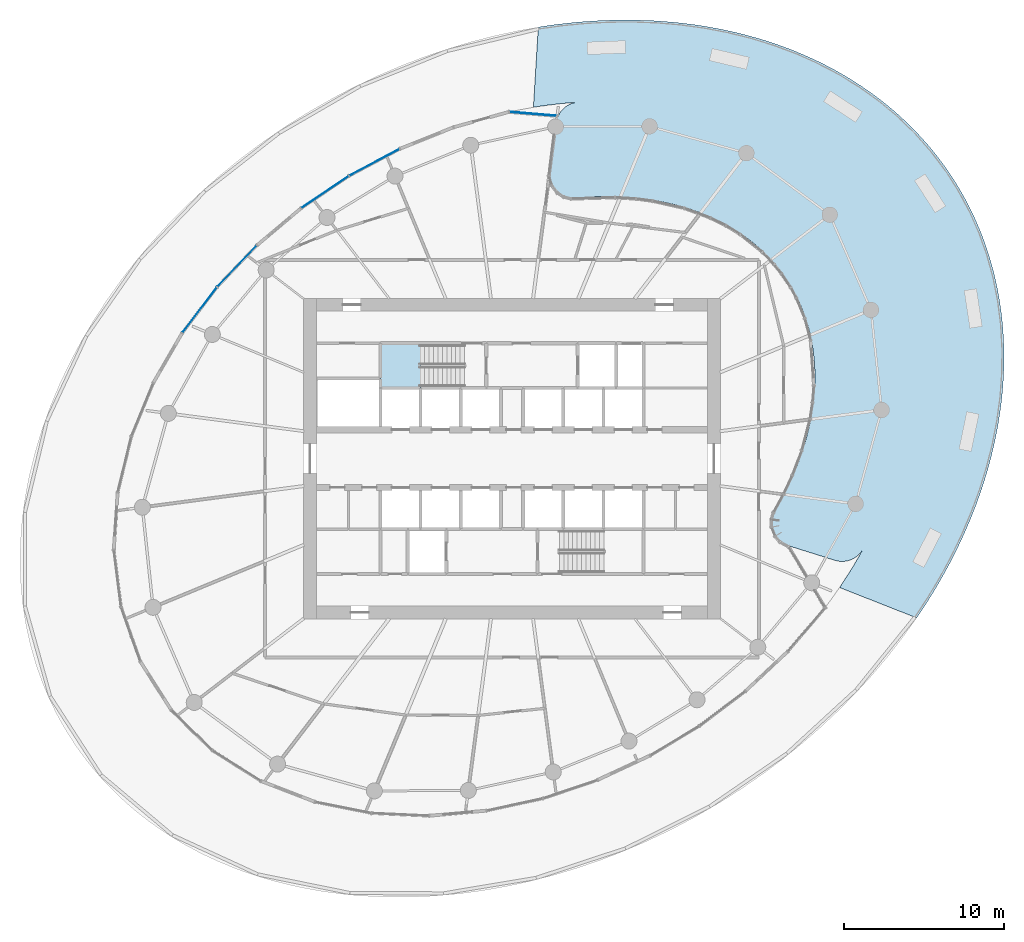
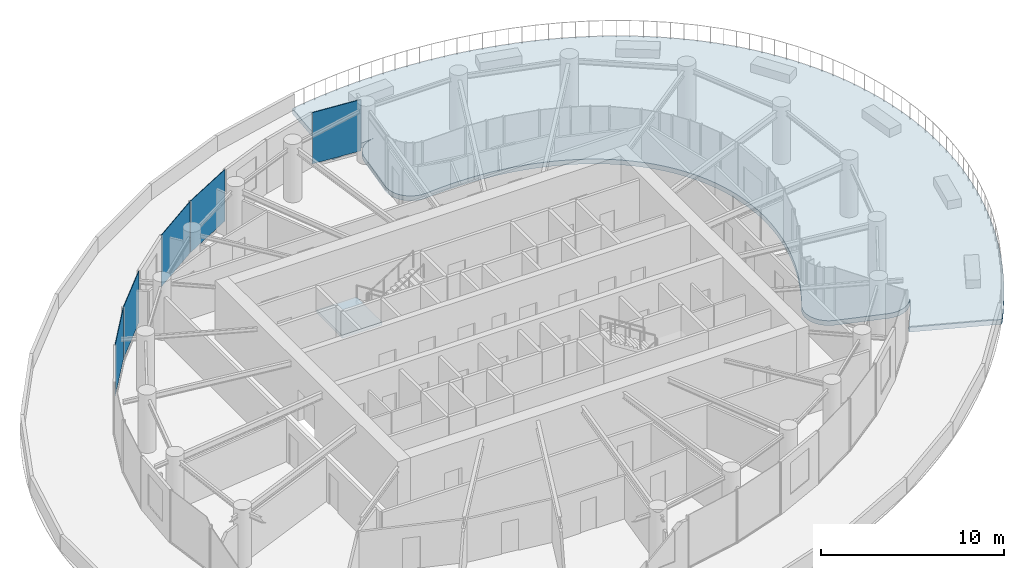
# One storey, part 10 of 21: 5 plates, 2 slabs, 4 elements without a shape of their own.
"""IFC4 building model written with IfcOpenShell, lengths in metres."""

from ifc_helpers import new_model, si_unit, direction, frame, origin, origin_2d, place, context, subcontext, project, spatial, line, indexed_curve, rectangle, outline, extrude, source, transform, mapped, material, layer, layer_set, type_object, element, aggregate, save


model = new_model("IFC4")

# Units and contexts
model_context = context("Model", 3, precision=1e-05, world=origin(), true_north=direction((0.0, 1.0)))
body_context = subcontext(model_context, "Body", "Model", "MODEL_VIEW")
ifc_project = project(units=[si_unit("LENGTHUNIT", "METRE"), si_unit("AREAUNIT", "SQUARE_METRE"), si_unit("VOLUMEUNIT", "CUBIC_METRE"), si_unit("PLANEANGLEUNIT", "RADIAN"), si_unit("MASSUNIT", "GRAM", prefix="KILO")], contexts=[model_context])

# Site, building, storey
site_placement = place(None, origin())
site = spatial("IfcSite", under=ifc_project, at=site_placement, CompositionType="ELEMENT")
building_placement = place(site_placement, origin())
building = spatial("IfcBuilding", under=site, at=building_placement, Name="Spindrift Exchange Tower", CompositionType="ELEMENT")
storey_placement = place(building_placement, frame((0.0, 0.0, 133.10009765625)))
storey = spatial("IfcBuildingStorey", under=building, at=storey_placement, Name="L31", CompositionType="ELEMENT", Elevation=133.10009765625)

# Slab
ifc_material_1 = material(Name="Concrete 40 MPa", Category="concrete")
ifc_layer_1 = layer(ifc_material_1, 0.320068359375)
ifc_layer_set_1 = layer_set([ifc_layer_1], Name="RC Garden Terrace Slab 320 Concrete 40 MPa")
slab_type_1 = type_object("IfcSlabType", Name="RC Garden Terrace Slab 320 Concrete 40 MPa", PredefinedType="FLOOR", material=ifc_layer_set_1)
slab_1_placement = place(storey_placement, frame((0.0, 0.0, -0.320068359375)))
element("IfcSlab", 1, at=slab_1_placement, inside=storey, type_object=slab_type_1, Name="Sky garden terrace L31", PredefinedType="FLOOR", context=body_context, shape_type="SweptSolid", body=[
    extrude(outline(indexed_curve([(56.111083984375, 70.237060546875), (55.652587890625, 70.204345703125), (54.835693359375, 70.126708984375), (54.021728515625, 70.025634765625), (53.39208984375, 69.930908203125), (53.36328125, 69.93798828125), (53.34375, 69.959716796875), (53.339111328125, 69.98388671875), (53.6376953125, 74.8857421875), (53.6474609375, 74.91259765625), (53.666015625, 74.927734375), (54.34326171875, 75.03173828125), (54.84521484375, 75.098388671875), (55.84912109375, 75.209716796875), (56.353515625, 75.25439453125), (57.36083984375, 75.322021484375), (57.86669921875, 75.3447265625), (58.372314453125, 75.359619140625), (59.382568359375, 75.366455078125), (60.392333984375, 75.341552734375), (60.89794921875, 75.317138671875), (61.9052734375, 75.243408203125), (62.408203125, 75.194091796875), (63.411376953125, 75.070068359375), (63.9111328125, 74.994873046875), (64.9072265625, 74.818359375), (65.894775390625, 74.606201171875), (66.3857421875, 74.486083984375), (67.3603515625, 74.21875), (67.84423828125, 74.07080078125), (68.324951171875, 73.9130859375), (68.802001953125, 73.746337890625), (69.275634765625, 73.56982421875), (69.74609375, 73.38330078125), (70.211181640625, 73.1875), (70.672119140625, 72.982177734375), (71.129638671875, 72.766357421875), (71.58154296875, 72.541015625), (72.029296875, 72.305419921875), (72.471435546875, 72.059814453125), (72.90771484375, 71.804443359375), (73.337890625, 71.539306640625), (73.761474609375, 71.264404296875), (74.178466796875, 70.979736328125), (74.5888671875, 70.684814453125), (74.99267578125, 70.3798828125), (75.387939453125, 70.06591796875), (75.7763671875, 69.74169921875), (76.15673828125, 69.407958984375), (76.527587890625, 69.0654296875), (76.889892578125, 68.714111328125), (77.243896484375, 68.352294921875), (77.58837890625, 67.982421875), (77.9228515625, 67.603515625), (78.248046875, 67.2158203125), (78.5625, 66.821044921875), (78.86669921875, 66.41748046875), (79.16015625, 66.006103515625), (79.443115234375, 65.587158203125), (79.714599609375, 65.160888671875), (79.974853515625, 64.728271484375), (80.22412109375, 64.287841796875), (80.4619140625, 63.840576171875), (80.6875, 63.388916015625), (80.901611328125, 62.930419921875), (81.102783203125, 62.468017578125), (81.29248046875, 62.000244140625), (81.470947265625, 61.525390625), (81.636474609375, 61.048583984375), (81.78955078125, 60.567626953125), (81.930908203125, 60.082275390625), (82.060302734375, 59.593017578125), (82.177001953125, 59.10205078125), (82.281982421875, 58.608154296875), (82.375244140625, 58.109619140625), (82.4560546875, 57.611328125), (82.525146484375, 57.111083984375), (82.58251953125, 56.60888671875), (82.628173828125, 56.105712890625), (82.662353515625, 55.600341796875), (82.68505859375, 55.095947265625), (82.6962890625, 54.590087890625), (82.69677734375, 54.085205078125), (82.68603515625, 53.58056640625), (82.66455078125, 53.075439453125), (82.632080078125, 52.570556640625), (82.58935546875, 52.06640625), (82.536376953125, 51.564453125), (82.47314453125, 51.0625), (82.31689453125, 50.064697265625), (82.12158203125, 49.072021484375), (81.8896484375, 48.089111328125), (81.62158203125, 47.114501953125), (81.31884765625, 46.150146484375), (80.98291015625, 45.19677734375), (80.614990234375, 44.25537109375), (80.21630859375, 43.326416015625), (79.7880859375, 42.410888671875), (79.33154296875, 41.5087890625), (78.847900390625, 40.621337890625), (78.33740234375, 39.748291015625), (77.80224609375, 38.89111328125), (77.525390625, 38.468017578125), (77.259521484375, 38.08056640625), (77.23681640625, 38.072265625), (77.213134765625, 38.075439453125), (72.494140625, 39.93310546875), (72.47412109375, 39.947509765625), (72.462646484375, 39.974609375), (72.468505859375, 40.00341796875), (72.820068359375, 40.533935546875), (73.25537109375, 41.229248046875), (73.67041015625, 41.93701171875), (73.893798828125, 42.339111328125), (73.83740234375, 42.24609375), (73.748779296875, 42.12744140625), (73.650390625, 42.019775390625), (73.5419921875, 41.92236328125), (73.41650390625, 41.830322265625), (73.291015625, 41.756103515625), (73.160888671875, 41.69580078125), (73.01416015625, 41.644287109375), (72.872314453125, 41.610107421875), (72.72802734375, 41.58984375), (72.574951171875, 41.583984375), (72.429443359375, 41.592529296875), (72.285400390625, 41.615478515625), (72.13916015625, 41.653564453125), (69.273193359375, 42.556396484375), (69.1279296875, 42.610595703125), (68.99609375, 42.675048828125), (68.869140625, 42.75390625), (68.75048828125, 42.844482421875), (68.6416015625, 42.94677734375), (68.54345703125, 43.059326171875), (68.45703125, 43.180908203125), (68.3828125, 43.310791015625), (68.322021484375, 43.447021484375), (68.275146484375, 43.5888671875), (68.242919921875, 43.732177734375), (68.224609375, 43.88037109375), (68.22119140625, 44.027099609375), (68.2333984375, 44.183349609375), (68.259521484375, 44.327880859375), (68.30029296875, 44.4716796875), (68.35400390625, 44.608154296875), (68.421875, 44.740478515625), (68.836181640625, 45.48291015625), (69.125244140625, 46.0478515625), (69.269775390625, 46.347412109375), (69.531494140625, 46.926513671875), (69.7861328125, 47.54541015625), (70.01220703125, 48.1552734375), (70.124267578125, 48.486083984375), (70.31787109375, 49.118408203125), (70.41162109375, 49.4619140625), (70.567626953125, 50.11279296875), (70.69921875, 50.791259765625), (70.8017578125, 51.498779296875), (70.86767578125, 52.197998046875), (70.89697265625, 52.882080078125), (70.898193359375, 53.235595703125), (70.888427734375, 53.611083984375), (70.868896484375, 53.9658203125), (70.801025390625, 54.6513671875), (70.75, 55.00341796875), (70.683837890625, 55.377685546875), (70.60986328125, 55.727294921875), (70.52490234375, 56.073486328125), (70.435302734375, 56.393310546875), (70.328125, 56.733642578125), (70.20068359375, 57.09423828125), (70.069580078125, 57.426513671875), (69.92724609375, 57.754150390625), (69.78515625, 58.052734375), (69.62109375, 58.369873046875), (69.432373046875, 58.70361328125), (69.245361328125, 59.00830078125), (69.0478515625, 59.305419921875), (68.839599609375, 59.595703125), (68.62158203125, 59.87841796875), (68.39404296875, 60.15283203125), (68.174072265625, 60.400634765625), (67.910400390625, 60.677734375), (67.655029296875, 60.927490234375), (67.3916015625, 61.16845703125), (67.120849609375, 61.39990234375), (66.861328125, 61.60791015625), (66.556884765625, 61.836181640625), (66.264892578125, 62.04052734375), (65.966796875, 62.2353515625), (65.374267578125, 62.586181640625), (65.042236328125, 62.763427734375), (64.724609375, 62.9208984375), (64.40380859375, 63.0693359375), (63.770751953125, 63.331787109375), (63.092041015625, 63.57275390625), (62.759033203125, 63.6767578125), (62.106201171875, 63.856201171875), (61.418212890625, 64.011962890625), (61.08251953125, 64.076416015625), (60.427490234375, 64.18115234375), (60.07861328125, 64.226318359375), (59.414306640625, 64.29248046875), (58.7685546875, 64.333251953125), (58.116455078125, 64.351806640625), (57.78125, 64.352783203125), (57.154296875, 64.339599609375), (56.5244140625, 64.306884765625), (55.97802734375, 64.2626953125), (55.831787109375, 64.257080078125), (55.685302734375, 64.265869140625), (55.530517578125, 64.290771484375), (55.388671875, 64.32861328125), (55.251220703125, 64.380126953125), (55.11279296875, 64.448486328125), (54.98828125, 64.5263671875), (54.8701171875, 64.61767578125), (54.76171875, 64.72021484375), (54.663818359375, 64.8330078125), (54.577880859375, 64.955078125), (54.504150390625, 65.0849609375), (54.444091796875, 65.2216796875), (54.3974609375, 65.363525390625), (54.365478515625, 65.509521484375), (54.347900390625, 65.66015625), (54.34521484375, 65.806884765625), (54.357421875, 65.956298828125), (54.748779296875, 68.935791015625), (54.775634765625, 69.08203125), (54.81787109375, 69.2294921875), (54.871826171875, 69.36474609375), (54.93994140625, 69.49658203125), (55.01904296875, 69.618896484375), (55.110107421875, 69.73291015625), (55.218505859375, 69.84423828125), (55.330078125, 69.93798828125), (55.448486328125, 70.01904296875), (55.584716796875, 70.093994140625), (55.718994140625, 70.15087890625), (55.858154296875, 70.19482421875), (56.003173828125, 70.22509765625)], segments=[line(1, 2, 3, 4, 5, 6, 7, 8, 9, 10, 11, 12, 13, 14, 15, 16, 17, 18, 19, 20, 21, 22, 23, 24, 25, 26, 27, 28, 29, 30, 31, 32, 33, 34, 35, 36, 37, 38, 39, 40, 41, 42, 43, 44, 45, 46, 47, 48, 49, 50, 51, 52, 53, 54, 55, 56, 57, 58, 59, 60, 61, 62, 63, 64, 65, 66, 67, 68, 69, 70, 71, 72, 73, 74, 75, 76, 77, 78, 79, 80, 81, 82, 83, 84, 85, 86, 87, 88, 89, 90, 91, 92, 93, 94, 95, 96, 97, 98, 99, 100, 101, 102, 103, 104, 105, 106, 107, 108, 109, 110, 111, 112, 113, 114, 115, 116, 117, 118, 119, 120, 121, 122, 123, 124, 125, 126, 127, 128, 129, 130, 131, 132, 133, 134, 135, 136, 137, 138, 139, 140, 141, 142, 143, 144, 145, 146, 147, 148, 149, 150, 151, 152, 153, 154, 155, 156, 157, 158, 159, 160, 161, 162, 163, 164, 165, 166, 167, 168, 169, 170, 171, 172, 173, 174, 175, 176, 177, 178, 179, 180, 181, 182, 183, 184, 185, 186, 187, 188, 189, 190, 191, 192, 193, 194, 195, 196, 197, 198, 199, 200, 201, 202, 203, 204, 205, 206, 207, 208, 209, 210, 211, 212, 213, 214, 215, 216, 217, 218, 219, 220, 221, 222, 223, 224, 225, 226, 227, 228, 229, 230, 231, 232, 233, 234, 235, 236, 237, 238, 239, 240, 241, 242, 1)], self_intersect=False)), origin(), (0.0, 0.0, 1.0), 0.320068359375),
])

# Stair, slab
ifc_material_2 = material(Name="Concrete 50 MPa", Category="concrete")
stair_type = type_object("IfcStairType", Name="ST-1250-R177", PredefinedType="HALF_TURN_STAIR", material=ifc_material_2)
stair_placement = place(storey_placement, origin())
stair = element("IfcStair", 2, at=stair_placement, inside=storey, type_object=stair_type, Name="L31 Exit stair ST1", PredefinedType="HALF_TURN_STAIR")
ifc_layer_2 = layer(ifc_material_2, 0.199951171875)
ifc_layer_set_2 = layer_set([ifc_layer_2], Name="SL-LANDING")
slab_type_2 = type_object("IfcSlabType", Name="SL-LANDING", PredefinedType="LANDING", material=ifc_layer_set_2)
slab_2_placement = place(storey_placement, frame((0.0, 0.0, 1.75)))
slab_2 = element("IfcSlab", 3, at=slab_2_placement, type_object=slab_type_2, Name="ST1 landing 1", PredefinedType="LANDING", context=body_context, shape_type="SweptSolid", body=[
    extrude(outline(indexed_curve([(46.330078125, 52.39990234375), (43.800048828125, 52.39990234375), (43.800048828125, 55.199951171875), (46.330078125, 55.199951171875)], segments=[line(1, 2, 3, 4, 1)], self_intersect=False)), origin(), (0.0, 0.0, 1.0), 0.199951171875),
])
aggregate(stair, [slab_2])

# Curtain wall, plates
ifc_material_3 = material(Name="Fritted laminated glass with bronze frame", Category="glass")
ifc_layer_3 = layer(ifc_material_3, 0.179931640625)
ifc_layer_set_3 = layer_set([ifc_layer_3], Name="ZONE 3 BRONZE FRITTED WALL")
curtain_wall_type_1 = type_object("IfcCurtainWallType", Name="ZONE 3 BRONZE FRITTED WALL", PredefinedType="NOTDEFINED", material=ifc_layer_set_3)
curtain_wall_1_placement = place(storey_placement, origin())
curtain_wall_1 = element("IfcCurtainWall", 4, at=curtain_wall_1_placement, inside=storey, type_object=curtain_wall_type_1, Name="L31 Zone 3 Bronze Fritted Wall run 1", PredefinedType="NOTDEFINED")
ifc_material_4 = material(Name="Bronze tinted laminated glass, light frit", Category="glass")
ifc_layer_4 = layer(ifc_material_4, 0.031982421875)
ifc_layer_set_4 = layer_set([ifc_layer_4], Name="ZONE 3 BRONZE FRITTED WALL PANEL LIGHT FRIT 1200")
plate_type_1 = type_object("IfcPlateType", Name="ZONE 3 BRONZE FRITTED WALL PANEL LIGHT FRIT 1200", PredefinedType="CURTAIN_PANEL", material=ifc_layer_set_4)
shared_shape_1 = source(origin(), body_context, "Body", "SweptSolid", [
    extrude(rectangle(XDim=3.531005859375, YDim=0.031982421875, at=origin_2d()), origin(), (0.0, 0.0, 1.0), 3.449951171875),
])
plate_1_placement = place(storey_placement, frame((43.414306640625, 66.48388671875, 0.1298828125), z_axis=(0.0, 0.0, 1.0), x_axis=(-0.882949231618, -0.469468480715, 0.0)))
plate_1 = element("IfcPlate", 5, at=plate_1_placement, type_object=plate_type_1, Name="L31 panel CW-3.3", PredefinedType="CURTAIN_PANEL", context=body_context, shape_type="MappedRepresentation", body=[
    mapped(shared_shape_1, transform((0.0, 0.0, 0.0), scale=1.0)),
])
plate_2_placement = place(storey_placement, frame((40.33251953125, 64.63134765625, 0.1298828125), z_axis=(0.0, 0.0, 1.0), x_axis=(-0.828883336869, -0.559421499283, 0.0)))
plate_2 = element("IfcPlate", 6, at=plate_2_placement, type_object=plate_type_1, Name="L31 panel CW-3.4", PredefinedType="CURTAIN_PANEL", context=body_context, shape_type="MappedRepresentation", body=[
    mapped(shared_shape_1, transform((0.0, 0.0, 0.0), scale=1.0)),
])
ifc_layer_5 = layer(ifc_material_4, 0.031982421875)
ifc_layer_set_5 = layer_set([ifc_layer_5], Name="ZONE 3 BRONZE FRITTED WALL PANEL LIGHT FRIT 960")
plate_type_2 = type_object("IfcPlateType", Name="ZONE 3 BRONZE FRITTED WALL PANEL LIGHT FRIT 960", PredefinedType="CURTAIN_PANEL", material=ifc_layer_set_5)
shared_shape_2 = source(origin(), body_context, "Body", "SweptSolid", [
    extrude(rectangle(XDim=3.53076171875, YDim=0.031982421875, at=origin_2d()), origin(), (0.0, 0.0, 1.0), 3.449951171875),
])
plate_3_placement = place(storey_placement, frame((34.84033203125, 60.0048828125, 0.1298828125), z_axis=(0.0, 0.0, 1.0), x_axis=(-0.690985872889, -0.722868261489, 0.0)))
plate_3 = element("IfcPlate", 7, at=plate_3_placement, type_object=plate_type_2, Name="L31 panel CW-3.6", PredefinedType="CURTAIN_PANEL", context=body_context, shape_type="MappedRepresentation", body=[
    mapped(shared_shape_2, transform((0.0, 0.0, 0.0), scale=1.0)),
])
aggregate(curtain_wall_1, [plate_1, plate_2, plate_3])

# Curtain wall, plate
curtain_wall_2_placement = place(storey_placement, origin())
curtain_wall_2 = element("IfcCurtainWall", 8, at=curtain_wall_2_placement, inside=storey, type_object=curtain_wall_type_1, Name="L31 Zone 3 Bronze Fritted Wall run 2", PredefinedType="NOTDEFINED")
shared_shape_3 = source(origin(), body_context, "Body", "SweptSolid", [
    extrude(rectangle(XDim=3.530517578125, YDim=0.031982421875, at=origin_2d()), origin(), (0.0, 0.0, 1.0), 3.449951171875),
])
plate_4_placement = place(storey_placement, frame((32.5087890625, 57.268798828125, 0.1298828125), z_axis=(0.0, 0.0, 1.0), x_axis=(-0.603991418622, -0.796990819415, 0.0)))
plate_4 = element("IfcPlate", 9, at=plate_4_placement, type_object=plate_type_2, Name="L31 panel CW-3.7", PredefinedType="CURTAIN_PANEL", context=body_context, shape_type="MappedRepresentation", body=[
    mapped(shared_shape_3, transform((0.0, 0.0, 0.0), scale=1.0)),
])
aggregate(curtain_wall_2, [plate_4])

ifc_layer_6 = layer(ifc_material_3, 0.199951171875)
ifc_layer_set_6 = layer_set([ifc_layer_6], Name="SKY GARDEN BRONZE GLAZED WALL")
curtain_wall_type_2 = type_object("IfcCurtainWallType", Name="SKY GARDEN BRONZE GLAZED WALL", PredefinedType="NOTDEFINED", material=ifc_layer_set_6)
curtain_wall_3_placement = place(storey_placement, origin())
curtain_wall_3 = element("IfcCurtainWall", 10, at=curtain_wall_3_placement, inside=storey, type_object=curtain_wall_type_2, Name="L31 Sky Garden Bronze Glazed Wall run 11", PredefinedType="NOTDEFINED")
ifc_material_5 = material(Name="Bronze tinted laminated glass, clear vision", Category="glass")
ifc_layer_7 = layer(ifc_material_5, 0.0380859375)
ifc_layer_set_7 = layer_set([ifc_layer_7], Name="SKY GARDEN BRONZE GLAZED WALL PANEL CLEAR 1200")
plate_type_3 = type_object("IfcPlateType", Name="SKY GARDEN BRONZE GLAZED WALL PANEL CLEAR 1200", PredefinedType="CURTAIN_PANEL", material=ifc_layer_set_7)
shared_shape_4 = source(origin(), body_context, "Body", "SweptSolid", [
    extrude(rectangle(XDim=2.93701171875, YDim=0.0380859375, at=origin_2d()), origin(), (0.0, 0.0, 1.0), 3.429931640625),
])
plate_5_placement = place(storey_placement, frame((53.32080078125, 69.507568359375, 0.14990234375), z_axis=(0.0, 0.0, 1.0), x_axis=(-0.996497968979, 0.083616970891, 0.0)))
plate_5 = element("IfcPlate", 11, at=plate_5_placement, type_object=plate_type_3, Name="L31 panel CW-G.62", PredefinedType="CURTAIN_PANEL", context=body_context, shape_type="MappedRepresentation", body=[
    mapped(shared_shape_4, transform((0.0, 0.0, 0.0), scale=1.0)),
])
aggregate(curtain_wall_3, [plate_5])

save(model, "model.ifc")
